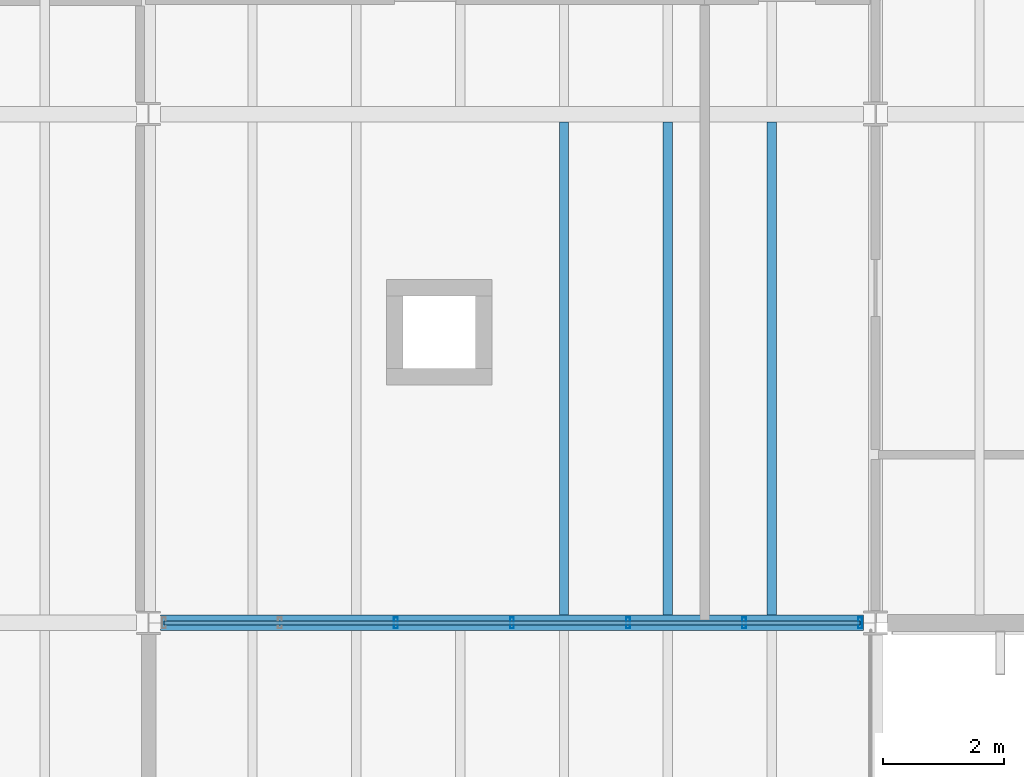
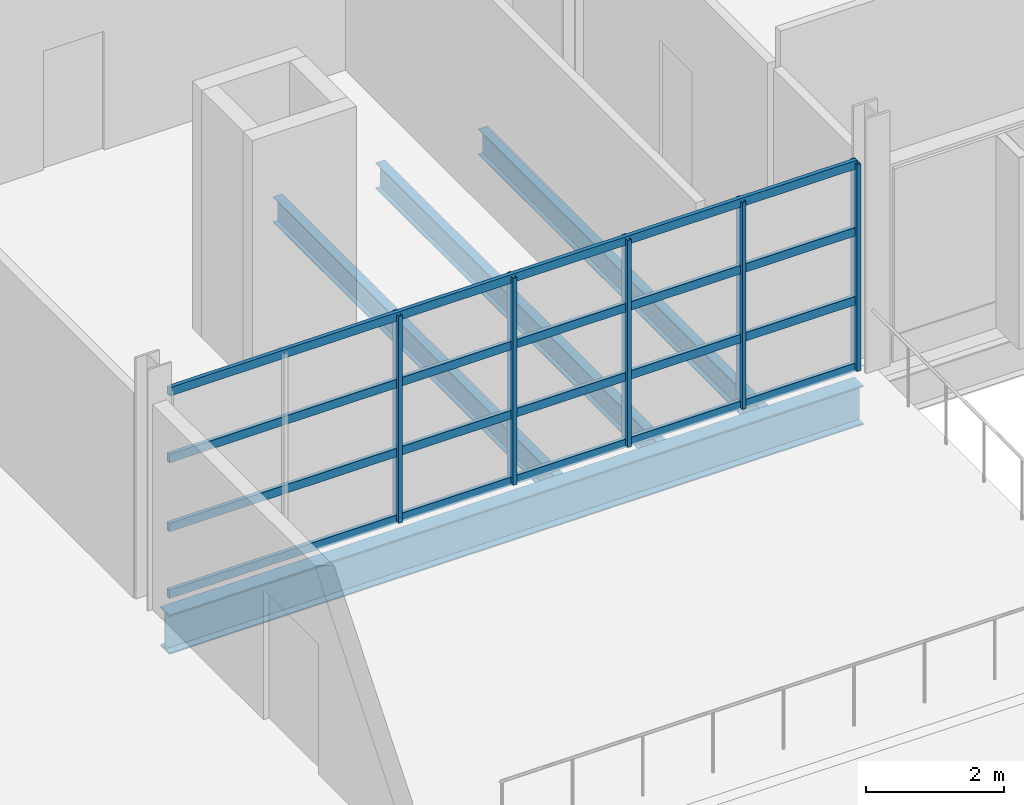
# One storey, part 40 of 114: 9 members, 4 beams, 1 element without a shape of its own.
"""IFC4 building model written with IfcOpenShell, lengths in metres."""

from ifc_helpers import new_model, si_unit, direction, frame, origin, origin_2d, place, context, subcontext, project, spatial, hollow_rectangle, i_section, extrude, material, material_profile, profile_set, type_object, element, aggregate, save


model = new_model("IFC4")

# Units and contexts
model_context = context("Model", 3, precision=1e-05, world=origin(), true_north=direction((0.0, 1.0)))
body_context = subcontext(model_context, "Body", "Model", "MODEL_VIEW")
ifc_project = project(units=[si_unit("LENGTHUNIT", "METRE"), si_unit("AREAUNIT", "SQUARE_METRE"), si_unit("VOLUMEUNIT", "CUBIC_METRE"), si_unit("PLANEANGLEUNIT", "RADIAN"), si_unit("MASSUNIT", "GRAM", prefix="KILO")], contexts=[model_context])

# Site, building, storey
site_placement = place(None, origin())
site = spatial("IfcSite", under=ifc_project, at=site_placement, CompositionType="ELEMENT")
building_placement = place(site_placement, origin())
building = spatial("IfcBuilding", under=site, at=building_placement, Name="Kelmvaro Bay Concert Hall", CompositionType="ELEMENT")
storey_placement = place(building_placement, frame((0.0, 0.0, 4.800048828125)))
storey = spatial("IfcBuildingStorey", under=building, at=storey_placement, Name="L01", CompositionType="ELEMENT", Elevation=4.800048828125)

# Curtain wall, members
ifc_material_1 = material(Name="Anodised Aluminium and Low-E Insulated Glazing", Category="aluminium")
curtain_wall_type = type_object("IfcCurtainWallType", Name="Mezzanine Concourse Curtain Wall 4100", PredefinedType="USERDEFINED", material=ifc_material_1)
curtain_wall_placement = place(storey_placement, origin())
curtain_wall = element("IfcCurtainWall", 1, at=curtain_wall_placement, inside=storey, type_object=curtain_wall_type, Name="Unitised Curtain Wall CW-L01-065", ObjectType="UNITISED GLAZING", PredefinedType="USERDEFINED")
ifc_material_2 = material(Name="Anodised Extruded Aluminium 6063-T6", Category="aluminium")
ifc_material_profile_1 = material_profile(ifc_material_2, hollow_rectangle(XDim=0.06494140625, YDim=0.179931640625, WallThickness=0.00390625, at=origin_2d()), Name="ALU-MUL-180X65")
ifc_profile_set_1 = profile_set([ifc_material_profile_1], Name="Anodised Extruded Aluminium 6063-T6")
member_type_1 = type_object("IfcMemberType", Name="Curtain Mullion ALU 180x65", PredefinedType="MULLION", material=ifc_profile_set_1)
member_1_placement = place(storey_placement, frame((119.744384765625, 15.60009765625, 0.0), z_axis=(0.0, 0.0, 1.0), x_axis=(1.0, 0.0, 0.0)))
member_1 = element("IfcMember", 2, at=member_1_placement, type_object=member_type_1, Name="CW-L01-065 Mullion 01", PredefinedType="MULLION", context=body_context, shape_type="SweptSolid", body=[
    extrude(hollow_rectangle(XDim=0.06494140625, YDim=0.179931640625, WallThickness=0.00390625, at=origin_2d()), origin(), (0.0, 0.0, 1.0), 3.656982421875),
])
member_2_placement = place(storey_placement, frame((117.829345703125, 15.60009765625, 0.0), z_axis=(0.0, 0.0, 1.0), x_axis=(1.0, 0.0, 0.0)))
member_2 = element("IfcMember", 3, at=member_2_placement, type_object=member_type_1, Name="CW-L01-065 Mullion 02", PredefinedType="MULLION", context=body_context, shape_type="SweptSolid", body=[
    extrude(hollow_rectangle(XDim=0.06494140625, YDim=0.179931640625, WallThickness=0.00390625, at=origin_2d()), origin(), (0.0, 0.0, 1.0), 3.656982421875),
])
member_3_placement = place(storey_placement, frame((115.9140625, 15.60009765625, 0.0), z_axis=(0.0, 0.0, 1.0), x_axis=(1.0, 0.0, 0.0)))
member_3 = element("IfcMember", 4, at=member_3_placement, type_object=member_type_1, Name="CW-L01-065 Mullion 03", PredefinedType="MULLION", context=body_context, shape_type="SweptSolid", body=[
    extrude(hollow_rectangle(XDim=0.06494140625, YDim=0.179931640625, WallThickness=0.00390625, at=origin_2d()), origin(), (0.0, 0.0, 1.0), 3.656982421875),
])
member_4_placement = place(storey_placement, frame((113.998779296875, 15.60009765625, 0.0), z_axis=(0.0, 0.0, 1.0), x_axis=(1.0, 0.0, 0.0)))
member_4 = element("IfcMember", 5, at=member_4_placement, type_object=member_type_1, Name="CW-L01-065 Mullion 04", PredefinedType="MULLION", context=body_context, shape_type="SweptSolid", body=[
    extrude(hollow_rectangle(XDim=0.06494140625, YDim=0.179931640625, WallThickness=0.00390625, at=origin_2d()), origin(), (0.0, 0.0, 1.0), 3.656982421875),
])
member_5_placement = place(storey_placement, frame((112.08349609375, 15.60009765625, 0.0), z_axis=(0.0, 0.0, 1.0), x_axis=(1.0, 0.0, 0.0)))
member_5 = element("IfcMember", 6, at=member_5_placement, type_object=member_type_1, Name="CW-L01-065 Mullion 05", PredefinedType="MULLION", context=body_context, shape_type="SweptSolid", body=[
    extrude(hollow_rectangle(XDim=0.06494140625, YDim=0.179931640625, WallThickness=0.00390625, at=origin_2d()), origin(), (0.0, 0.0, 1.0), 3.656982421875),
])
ifc_material_3 = material(Name="Anodised Extruded Aluminium 6063-T6", Category="aluminium")
ifc_material_profile_2 = material_profile(ifc_material_3, hollow_rectangle(XDim=0.06494140625, YDim=0.14990234375, WallThickness=0.00390625, at=origin_2d()), Name="ALU-TRN-150X65")
ifc_profile_set_2 = profile_set([ifc_material_profile_2], Name="Anodised Extruded Aluminium 6063-T6")
member_type_2 = type_object("IfcMemberType", Name="Curtain Transom ALU 150x65", PredefinedType="USERDEFINED", material=ifc_profile_set_2)
member_6_placement = place(storey_placement, frame((119.744384765625, 15.60009765625, 0.0400390625), z_axis=(-1.0, 0.0, 0.0), x_axis=(0.0, -1.0, 0.0)))
member_6 = element("IfcMember", 7, at=member_6_placement, type_object=member_type_2, Name="CW-L01-065 Transom 01", ObjectType="TRANSOM", PredefinedType="USERDEFINED", context=body_context, shape_type="SweptSolid", body=[
    extrude(hollow_rectangle(XDim=0.06494140625, YDim=0.14990234375, WallThickness=0.00390625, at=origin_2d()), origin(), (0.0, 0.0, 1.0), 11.491455078125),
])
member_7_placement = place(storey_placement, frame((119.744384765625, 15.60009765625, 1.218994140625), z_axis=(-1.0, 0.0, 0.0), x_axis=(0.0, -1.0, 0.0)))
member_7 = element("IfcMember", 8, at=member_7_placement, type_object=member_type_2, Name="CW-L01-065 Transom 02", ObjectType="TRANSOM", PredefinedType="USERDEFINED", context=body_context, shape_type="SweptSolid", body=[
    extrude(hollow_rectangle(XDim=0.06494140625, YDim=0.14990234375, WallThickness=0.00390625, at=origin_2d()), origin(), (0.0, 0.0, 1.0), 11.491455078125),
])
member_8_placement = place(storey_placement, frame((119.744384765625, 15.60009765625, 2.43798828125), z_axis=(-1.0, 0.0, 0.0), x_axis=(0.0, -1.0, 0.0)))
member_8 = element("IfcMember", 9, at=member_8_placement, type_object=member_type_2, Name="CW-L01-065 Transom 03", ObjectType="TRANSOM", PredefinedType="USERDEFINED", context=body_context, shape_type="SweptSolid", body=[
    extrude(hollow_rectangle(XDim=0.06494140625, YDim=0.14990234375, WallThickness=0.00390625, at=origin_2d()), origin(), (0.0, 0.0, 1.0), 11.491455078125),
])
member_9_placement = place(storey_placement, frame((119.744384765625, 15.60009765625, 3.616943359375), z_axis=(-1.0, 0.0, 0.0), x_axis=(0.0, -1.0, 0.0)))
member_9 = element("IfcMember", 10, at=member_9_placement, type_object=member_type_2, Name="CW-L01-065 Transom 04", ObjectType="TRANSOM", PredefinedType="USERDEFINED", context=body_context, shape_type="SweptSolid", body=[
    extrude(hollow_rectangle(XDim=0.06494140625, YDim=0.14990234375, WallThickness=0.00390625, at=origin_2d()), origin(), (0.0, 0.0, 1.0), 11.491455078125),
])
aggregate(curtain_wall, [member_1, member_2, member_3, member_4, member_5, member_6, member_7, member_8, member_9])

# Beams
ifc_material_4 = material(Name="Steel ASTM A992 Grade 50", Category="steel")
ifc_material_profile_3 = material_profile(ifc_material_4, i_section(OverallWidth=0.152099609375, OverallDepth=0.455078125, WebThickness=0.008056640625, FlangeThickness=0.01318359375, at=origin_2d()), Name="W18X40")
ifc_profile_set_3 = profile_set([ifc_material_profile_3], Name="Steel ASTM A992 Grade 50")
beam_type_1 = type_object("IfcBeamType", Name="Foyer Concourse Floor Joist W18x40", PredefinedType="JOIST", material=ifc_profile_set_3)
for number, where, z_axis, x_axis, name in (
    (11, (114.857177734375, 15.72802734375, -0.4775390625), (0.0, 1.0, 0.0), (-1.0, 0.0, 0.0), "L01 Floor Joist JST-L01-0309"),
    (12, (116.5712890625, 15.72802734375, -0.4775390625), (0.0, 1.0, 0.0), (-1.0, 0.0, 0.0), "L01 Floor Joist JST-L01-0310"),
    (13, (118.28564453125, 15.72802734375, -0.4775390625), (0.0, 1.0, 0.0), (-1.0, 0.0, 0.0), "L01 Floor Joist JST-L01-0311"),
):
    element("IfcBeam", number, at=place(storey_placement, frame(where, z_axis=z_axis, x_axis=x_axis)), inside=storey, type_object=beam_type_1, Name=name, PredefinedType="JOIST", context=body_context, shape_type="SweptSolid", body=[
        extrude(i_section(OverallWidth=0.152099609375, OverallDepth=0.455078125, WebThickness=0.008056640625, FlangeThickness=0.01318359375, at=origin_2d()), origin(), (0.0, 0.0, 1.0), 8.14404296875),
    ])
ifc_material_5 = material(Name="Steel ASTM A992 Grade 50", Category="steel")
ifc_material_profile_4 = material_profile(ifc_material_5, i_section(OverallWidth=0.256103515625, OverallDepth=0.693115234375, WebThickness=0.014404296875, FlangeThickness=0.023681640625, at=origin_2d()), Name="W27X114")
ifc_profile_set_4 = profile_set([ifc_material_profile_4], Name="Steel ASTM A992 Grade 50")
beam_type_2 = type_object("IfcBeamType", Name="Foyer Primary Girder W27x114", PredefinedType="BEAM", material=ifc_profile_set_4)
beam_placement = place(storey_placement, frame((108.197998046875, 15.60009765625, -0.596435546875), z_axis=(1.0, 0.0, 0.0), x_axis=(0.0, 1.0, 0.0)))
element("IfcBeam", 14, at=beam_placement, inside=storey, type_object=beam_type_2, Name="L01 Girder BM-L01-EW-0023", PredefinedType="BEAM", context=body_context, shape_type="SweptSolid", body=[
    extrude(i_section(OverallWidth=0.256103515625, OverallDepth=0.693115234375, WebThickness=0.014404296875, FlangeThickness=0.023681640625, at=origin_2d()), origin(), (0.0, 0.0, 1.0), 11.6015625),
])

save(model, "model.ifc")
